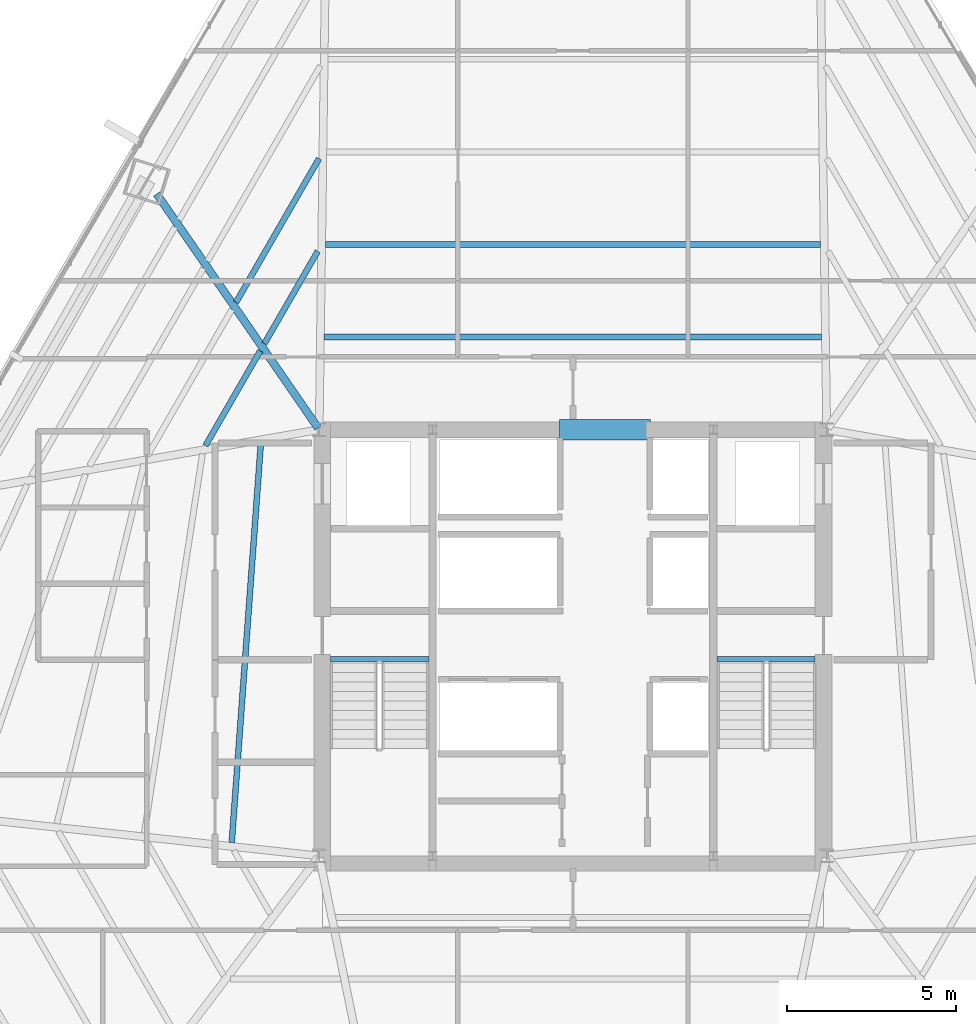
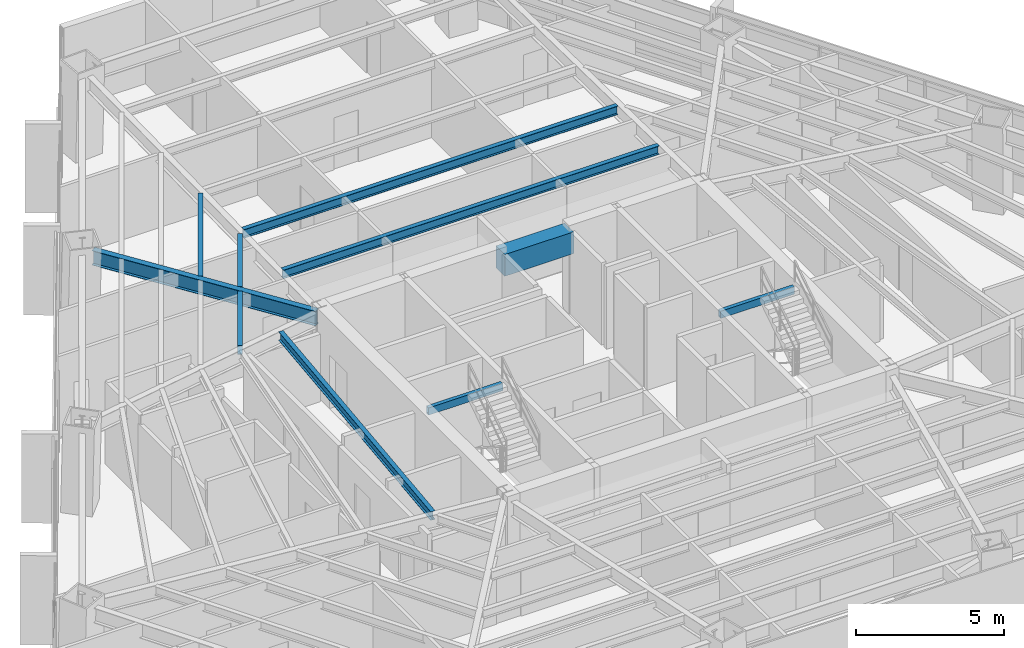
# One storey, part 13 of 35: 10 beams.
"""IFC4 building model written with IfcOpenShell, lengths in metres."""

from ifc_helpers import new_model, si_unit, direction, frame, origin, origin_2d, place, context, subcontext, project, spatial, rectangle, hollow_rectangle, i_section, extrude, source, transform, mapped, material, material_profile, profile_set, type_object, type_shapes, element, save


model = new_model("IFC4")

# Units and contexts
model_context = context("Model", 3, precision=1e-05, world=origin(), true_north=direction((0.0, 1.0)))
body_context = subcontext(model_context, "Body", "Model", "MODEL_VIEW")
ifc_project = project(units=[si_unit("LENGTHUNIT", "METRE"), si_unit("AREAUNIT", "SQUARE_METRE"), si_unit("VOLUMEUNIT", "CUBIC_METRE"), si_unit("PLANEANGLEUNIT", "RADIAN"), si_unit("MASSUNIT", "GRAM", prefix="KILO")], contexts=[model_context])

# Site, building, storey
site_placement = place(None, origin())
site = spatial("IfcSite", under=ifc_project, at=site_placement, CompositionType="ELEMENT")
building_placement = place(site_placement, origin())
building = spatial("IfcBuilding", under=site, at=building_placement, Name="Caelisora Broadcast Tower", CompositionType="ELEMENT")
storey_placement = place(building_placement, frame((0.0, 0.0, 109.050048828125)))
storey = spatial("IfcBuildingStorey", under=building, at=storey_placement, Name="L28", CompositionType="ELEMENT", Elevation=109.050048828125)

# Beams
ifc_material_1 = material(Name="Steel Grade 350 (AS/NZS 1163 C350L0)", Category="steel")
ifc_material_profile_1 = material_profile(ifc_material_1, hollow_rectangle(XDim=0.14990234375, YDim=0.300048828125, WallThickness=0.010009765625, at=origin_2d()), Name="Steel Grade 350 (AS/NZS 1163 C350L0)")
ifc_profile_set_1 = profile_set([ifc_material_profile_1], Name="Steel Grade 350 (AS/NZS 1163 C350L0)")
beam_type_1 = type_object("IfcBeamType", Name="SB05", PredefinedType="JOIST", material=ifc_profile_set_1)
shared_shape_1 = source(origin(), body_context, "Body", "SweptSolid", [
    extrude(hollow_rectangle(XDim=0.14990234375, YDim=0.300048828125, WallThickness=0.010009765625, at=origin_2d()), origin(), (0.0, 0.0, 1.0), 2.89990234375),
])
type_shapes(beam_type_1, [shared_shape_1])
for number, where, z_axis, x_axis, name in (
    (1, (30.840087890625, 23.219970703125, 3.25), (1.0, 0.0, 0.0), (0.0, 1.0, 0.0), "L28 beam SB05"),
    (2, (42.260009765625, 23.219970703125, 3.25), (1.0, 0.0, 0.0), (0.0, 1.0, 0.0), "L28 beam SB05"),
):
    element("IfcBeam", number, at=place(storey_placement, frame(where, z_axis=z_axis, x_axis=x_axis)), inside=storey, type_object=beam_type_1, Name=name, PredefinedType="JOIST", context=body_context, shape_type="MappedRepresentation", body=[
        mapped(shared_shape_1, transform((0.0, 0.0, 0.0), scale=1.0)),
    ])
ifc_material_2 = material(Name="Concrete 50 MPa (AS 3600 S50)", Category="concrete")
ifc_material_profile_2 = material_profile(ifc_material_2, rectangle(XDim=0.60009765625, YDim=0.89990234375, at=origin_2d()), Name="Concrete 50 MPa (AS 3600 S50)")
ifc_profile_set_2 = profile_set([ifc_material_profile_2], Name="Concrete 50 MPa (AS 3600 S50)")
beam_type_2 = type_object("IfcBeamType", Name="CB02", PredefinedType="LINTEL", material=ifc_profile_set_2)
shared_shape_2 = source(origin(), body_context, "Body", "SweptSolid", [
    extrude(rectangle(XDim=0.60009765625, YDim=0.89990234375, at=origin_2d()), origin(), (0.0, 0.0, 1.0), 2.699951171875),
])
type_shapes(beam_type_2, [shared_shape_2])
beam_1_placement = place(storey_placement, frame((37.60009765625, 30.0, 2.949951171875), z_axis=(1.0, 0.0, 0.0), x_axis=(0.0, 1.0, 0.0)))
element("IfcBeam", 3, at=beam_1_placement, inside=storey, type_object=beam_type_2, Name="L28 beam CB02", PredefinedType="LINTEL", context=body_context, shape_type="MappedRepresentation", body=[
    mapped(shared_shape_2, transform((0.0, 0.0, 0.0), scale=1.0)),
])
ifc_material_3 = material(Name="Steel Grade 350 (AS/NZS 3679.1)", Category="steel")
ifc_material_profile_3 = material_profile(ifc_material_3, i_section(OverallWidth=0.22802734375, OverallDepth=0.602294921875, WebThickness=0.010498046875, FlangeThickness=0.014892578125, at=origin_2d()), Name="Steel Grade 350 (AS/NZS 3679.1)")
ifc_profile_set_3 = profile_set([ifc_material_profile_3], Name="Steel Grade 350 (AS/NZS 3679.1)")
beam_type_3 = type_object("IfcBeamType", Name="PG04", PredefinedType="BEAM", material=ifc_profile_set_3)
shared_shape_3 = source(origin(), body_context, "Body", "SweptSolid", [
    extrude(i_section(OverallWidth=0.22802734375, OverallDepth=0.602294921875, WebThickness=0.010498046875, FlangeThickness=0.014892578125, at=origin_2d()), origin(), (0.0, 0.0, 1.0), 8.39990234375),
])
type_shapes(beam_type_3, [shared_shape_3])
beam_2_placement = place(storey_placement, frame((30.466064453125, 30.04931640625, 3.098876953125), z_axis=(-0.56737225063, 0.823461431528, 0.0), x_axis=(-0.823461431528, -0.56737225063, 0.0)))
element("IfcBeam", 4, at=beam_2_placement, inside=storey, type_object=beam_type_3, Name="L28 beam PG04", PredefinedType="BEAM", context=body_context, shape_type="MappedRepresentation", body=[
    mapped(shared_shape_3, transform((0.0, 0.0, 0.0), scale=1.0)),
])
ifc_material_profile_4 = material_profile(ifc_material_3, i_section(OverallWidth=0.172119140625, OverallDepth=0.358642578125, WebThickness=0.008056640625, FlangeThickness=0.012939453125, at=origin_2d()), Name="Steel Grade 350 (AS/NZS 3679.1)")
ifc_profile_set_4 = profile_set([ifc_material_profile_4], Name="Steel Grade 350 (AS/NZS 3679.1)")
beam_type_4 = type_object("IfcBeamType", Name="SB02", PredefinedType="JOIST", material=ifc_profile_set_4)
shared_shape_4 = source(origin(), body_context, "Body", "SweptSolid", [
    extrude(i_section(OverallWidth=0.172119140625, OverallDepth=0.358642578125, WebThickness=0.008056640625, FlangeThickness=0.012939453125, at=origin_2d()), origin(), (0.0, 0.0, 1.0), 14.7041015625),
])
beam_3_placement = place(storey_placement, frame((45.35205078125, 32.737060546875, 3.220703125), z_axis=(-1.0, 0.0, 0.0), x_axis=(0.0, -1.0, 0.0)))
element("IfcBeam", 5, at=beam_3_placement, inside=storey, type_object=beam_type_4, Name="L28 beam SB02", PredefinedType="JOIST", context=body_context, shape_type="MappedRepresentation", body=[
    mapped(shared_shape_4, transform((0.0, 0.0, 0.0), scale=1.0)),
])
shared_shape_5 = source(origin(), body_context, "Body", "SweptSolid", [
    extrude(i_section(OverallWidth=0.172119140625, OverallDepth=0.358642578125, WebThickness=0.008056640625, FlangeThickness=0.012939453125, at=origin_2d()), origin(), (0.0, 0.0, 1.0), 14.63037109375),
])
beam_4_placement = place(storey_placement, frame((45.315185546875, 35.473876953125, 3.220703125), z_axis=(-1.0, 0.0, 0.0), x_axis=(0.0, -1.0, 0.0)))
element("IfcBeam", 6, at=beam_4_placement, inside=storey, type_object=beam_type_4, Name="L28 beam SB02", PredefinedType="JOIST", context=body_context, shape_type="MappedRepresentation", body=[
    mapped(shared_shape_5, transform((0.0, 0.0, 0.0), scale=1.0)),
])
shared_shape_6 = source(origin(), body_context, "Body", "SweptSolid", [
    extrude(i_section(OverallWidth=0.172119140625, OverallDepth=0.358642578125, WebThickness=0.008056640625, FlangeThickness=0.012939453125, at=origin_2d()), origin(), (0.0, 0.0, 1.0), 3.152587890625),
])
beam_5_placement = place(storey_placement, frame((30.45849609375, 35.2744140625, 3.220703125), z_axis=(-0.500028571497, -0.866008907395, 0.0), x_axis=(0.866008907395, -0.500028571497, 0.0)))
element("IfcBeam", 7, at=beam_5_placement, inside=storey, type_object=beam_type_4, Name="L28 beam SB02", PredefinedType="JOIST", context=body_context, shape_type="MappedRepresentation", body=[
    mapped(shared_shape_6, transform((0.0, 0.0, 0.0), scale=1.0)),
])
shared_shape_7 = source(origin(), body_context, "Body", "SweptSolid", [
    extrude(i_section(OverallWidth=0.172119140625, OverallDepth=0.358642578125, WebThickness=0.008056640625, FlangeThickness=0.012939453125, at=origin_2d()), origin(), (0.0, 0.0, 1.0), 4.90576171875),
])
beam_6_placement = place(storey_placement, frame((30.495361328125, 38.01123046875, 3.220703125), z_axis=(-0.499998156753, -0.866026467981, 0.0), x_axis=(0.866026467981, -0.499998156753, 0.0)))
element("IfcBeam", 8, at=beam_6_placement, inside=storey, type_object=beam_type_4, Name="L28 beam SB02", PredefinedType="JOIST", context=body_context, shape_type="MappedRepresentation", body=[
    mapped(shared_shape_7, transform((0.0, 0.0, 0.0), scale=1.0)),
])
shared_shape_8 = source(origin(), body_context, "Body", "SweptSolid", [
    extrude(i_section(OverallWidth=0.172119140625, OverallDepth=0.358642578125, WebThickness=0.008056640625, FlangeThickness=0.012939453125, at=origin_2d()), origin(), (0.0, 0.0, 1.0), 3.23779296875),
])
beam_7_placement = place(storey_placement, frame((28.759033203125, 32.330810546875, 3.220703125), z_axis=(-0.500007473986, -0.866021088634, 0.0), x_axis=(0.866021088634, -0.500007473986, 0.0)))
element("IfcBeam", 9, at=beam_7_placement, inside=storey, type_object=beam_type_4, Name="L28 beam SB02", PredefinedType="JOIST", context=body_context, shape_type="MappedRepresentation", body=[
    mapped(shared_shape_8, transform((0.0, 0.0, 0.0), scale=1.0)),
])
shared_shape_9 = source(origin(), body_context, "Body", "SweptSolid", [
    extrude(i_section(OverallWidth=0.172119140625, OverallDepth=0.358642578125, WebThickness=0.008056640625, FlangeThickness=0.012939453125, at=origin_2d()), origin(), (0.0, 0.0, 1.0), 11.824462890625),
])
type_shapes(beam_type_4, [shared_shape_4, shared_shape_5, shared_shape_6, shared_shape_7, shared_shape_8, shared_shape_9])
beam_8_placement = place(storey_placement, frame((28.775390625, 29.586181640625, 3.220703125), z_axis=(-0.07273921034, -0.997350995026, 0.0), x_axis=(0.997350995026, -0.07273921034, 0.0)))
element("IfcBeam", 10, at=beam_8_placement, inside=storey, type_object=beam_type_4, Name="L28 beam SB02", PredefinedType="JOIST", context=body_context, shape_type="MappedRepresentation", body=[
    mapped(shared_shape_9, transform((0.0, 0.0, 0.0), scale=1.0)),
])

save(model, "model.ifc")
